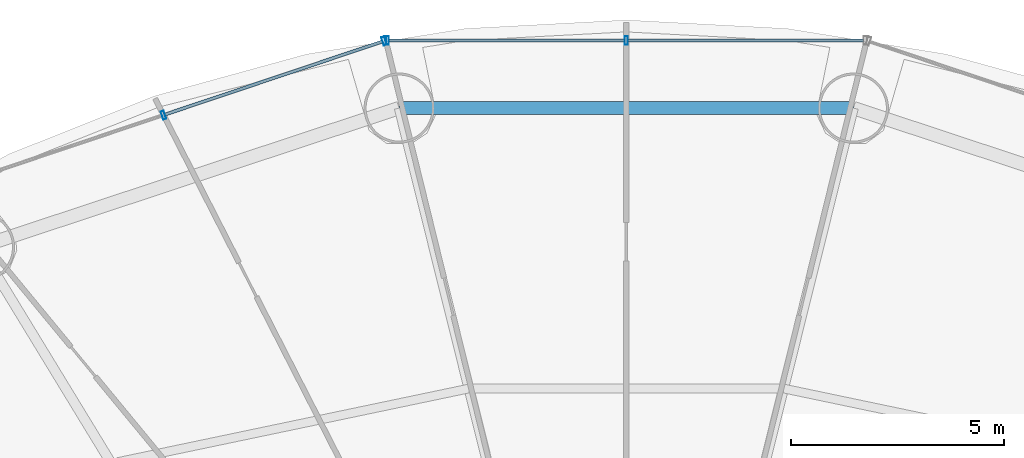
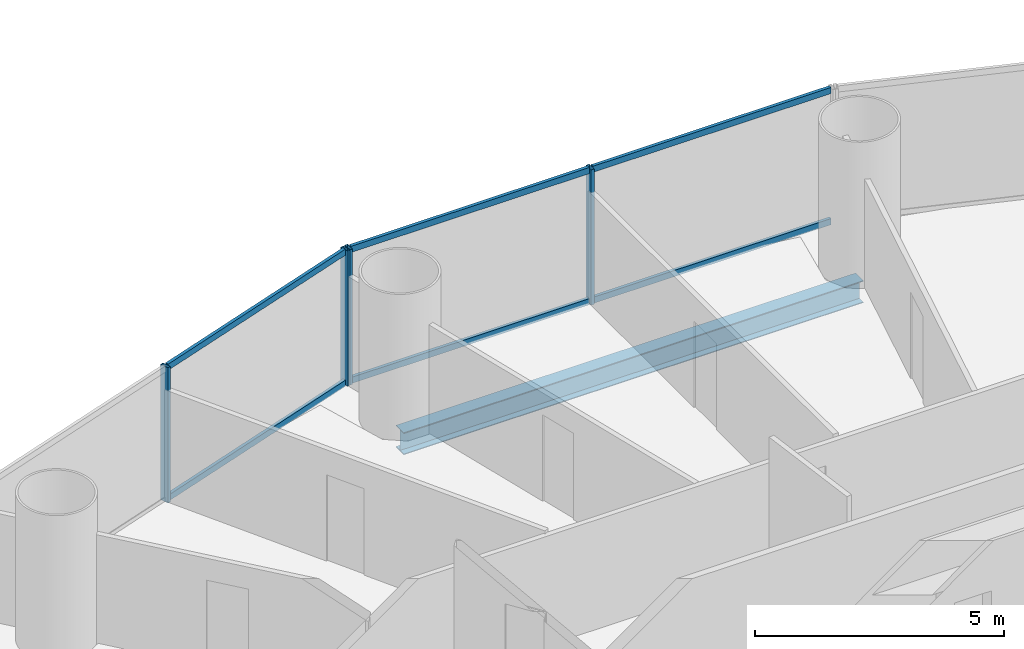
# One storey, part 18 of 30: 10 members, 1 beam, 2 elements without a shape of their own.
"""IFC4 building model written with IfcOpenShell, lengths in metres."""

from ifc_helpers import new_model, si_unit, direction, frame, origin, origin_2d, place, context, subcontext, project, spatial, hollow_rectangle, i_section, extrude, source, transform, mapped, material, material_profile, profile_set, type_object, element, aggregate, save


model = new_model("IFC4")

# Units and contexts
model_context = context("Model", 3, precision=1e-05, world=origin(), true_north=direction((-0.2419218956, 0.970295726276)))
body_context = subcontext(model_context, "Body", "Model", "MODEL_VIEW")
ifc_project = project(units=[si_unit("LENGTHUNIT", "METRE"), si_unit("AREAUNIT", "SQUARE_METRE"), si_unit("VOLUMEUNIT", "CUBIC_METRE"), si_unit("PLANEANGLEUNIT", "RADIAN"), si_unit("MASSUNIT", "GRAM", prefix="KILO")], contexts=[model_context])

# Site, building, storey
site_placement = place(None, origin())
site = spatial("IfcSite", under=ifc_project, at=site_placement, CompositionType="ELEMENT")
building_placement = place(site_placement, origin())
building = spatial("IfcBuilding", under=site, at=building_placement, Name="Cobrevalo Terracotta Tower", CompositionType="ELEMENT")
storey_placement = place(building_placement, frame((0.0, 0.0, 56.39990234375)))
storey = spatial("IfcBuildingStorey", under=building, at=storey_placement, Name="L14", CompositionType="ELEMENT", Elevation=56.39990234375)

# Beam
ifc_material_1 = material(Name="Steel S355", Category="steel")
ifc_material_profile_1 = material_profile(ifc_material_1, i_section(OverallWidth=0.31201171875, OverallDepth=0.54296875, WebThickness=0.0126953125, FlangeThickness=0.020263671875, at=origin_2d()), Name="W 530x150")
ifc_profile_set_1 = profile_set([ifc_material_profile_1], Name="Steel S355")
beam_type = type_object("IfcBeamType", Name="Structural Spandrel W 530x150 (Steel S355)", PredefinedType="SPANDREL", material=ifc_profile_set_1)
beam_placement = place(storey_placement, frame((43.335693359375, 48.230224609375, -0.551513671875), z_axis=(-1.0, 0.0, 0.0), x_axis=(0.0, -1.0, 0.0)))
element("IfcBeam", 1, at=beam_placement, inside=storey, type_object=beam_type, Name="L14 perimeter ring spandrel 04", PredefinedType="SPANDREL", context=body_context, shape_type="SweptSolid", body=[
    extrude(i_section(OverallWidth=0.31201171875, OverallDepth=0.54296875, WebThickness=0.0126953125, FlangeThickness=0.020263671875, at=origin_2d()), origin(), (0.0, 0.0, 1.0), 10.67138671875),
])

# Curtain wall, members
ifc_material_2 = material(Name="Anodized aluminium", Category="aluminium")
curtain_wall_type = type_object("IfcCurtainWallType", Name="Lower-tower unitised acoustic low-E curtain wall CW-U1", PredefinedType="NOTDEFINED", material=ifc_material_2)
curtain_wall_1_placement = place(storey_placement, origin())
curtain_wall_1 = element("IfcCurtainWall", 2, at=curtain_wall_1_placement, inside=storey, type_object=curtain_wall_type, Name="L14 curtain wall CW-L14-S04", PredefinedType="NOTDEFINED")
ifc_material_profile_2 = material_profile(ifc_material_2, hollow_rectangle(XDim=0.074951171875, YDim=0.199951171875, WallThickness=0.0048828125, at=origin_2d()), Name="CWM 75x200")
ifc_profile_set_2 = profile_set([ifc_material_profile_2], Name="Anodized aluminium")
member_type_1 = type_object("IfcMemberType", Name="Lower/mid tower unitised mullion 75x200", PredefinedType="MULLION", material=ifc_profile_set_2)
shared_shape_1 = source(origin(), body_context, "Body", "SweptSolid", [
    extrude(hollow_rectangle(XDim=0.074951171875, YDim=0.199951171875, WallThickness=0.0048828125, at=origin_2d()), origin(), (0.0, 0.0, 1.0), 3.320068359375),
])
member_1_placement = place(storey_placement, frame((38.0, 49.819091796875, 0.0), z_axis=(0.0, 0.0, 1.0), x_axis=(-1.0, 0.0, 0.0)))
member_1 = element("IfcMember", 3, at=member_1_placement, type_object=member_type_1, Name="CW-L14-S04 vertical mullion 02", PredefinedType="MULLION", context=body_context, shape_type="MappedRepresentation", body=[
    mapped(shared_shape_1, transform((0.0, 0.0, 0.0), scale=1.0)),
])
member_2_placement = place(storey_placement, frame((32.38818359375, 49.819091796875, 0.0), z_axis=(0.0, 0.0, 1.0), x_axis=(-1.0, 0.0, 0.0)))
member_2 = element("IfcMember", 4, at=member_2_placement, type_object=member_type_1, Name="CW-L14-S04 vertical mullion 03", PredefinedType="MULLION", context=body_context, shape_type="MappedRepresentation", body=[
    mapped(shared_shape_1, transform((0.0, 0.0, 0.0), scale=1.0)),
])

curtain_wall_2_placement = place(storey_placement, origin())
curtain_wall_2 = element("IfcCurtainWall", 5, at=curtain_wall_2_placement, inside=storey, type_object=curtain_wall_type, Name="L14 curtain wall CW-L14-S05", PredefinedType="NOTDEFINED")
member_3_placement = place(storey_placement, frame((32.310302734375, 49.806396484375, 0.0), z_axis=(0.0, 0.0, 1.0), x_axis=(-0.948046393597, -0.318132103987, 0.0)))
member_3 = element("IfcMember", 6, at=member_3_placement, type_object=member_type_1, Name="CW-L14-S05 vertical mullion 01", PredefinedType="MULLION", context=body_context, shape_type="MappedRepresentation", body=[
    mapped(shared_shape_1, transform((0.0, 0.0, 0.0), scale=1.0)),
])
member_4_placement = place(storey_placement, frame((27.126708984375, 48.06689453125, 0.0), z_axis=(0.0, 0.0, 1.0), x_axis=(-0.948046393597, -0.318132103987, 0.0)))
member_4 = element("IfcMember", 7, at=member_4_placement, type_object=member_type_1, Name="CW-L14-S05 vertical mullion 02", PredefinedType="MULLION", context=body_context, shape_type="MappedRepresentation", body=[
    mapped(shared_shape_1, transform((0.0, 0.0, 0.0), scale=1.0)),
])
ifc_material_profile_3 = material_profile(ifc_material_2, hollow_rectangle(XDim=0.074951171875, YDim=0.14990234375, WallThickness=0.00439453125, at=origin_2d()), Name="CWT 75x150")
ifc_profile_set_3 = profile_set([ifc_material_profile_3], Name="Anodized aluminium")
member_type_2 = type_object("IfcMemberType", Name="Tower unitised aluminium transom 75x150", PredefinedType="USERDEFINED", material=ifc_profile_set_3)
shared_shape_2 = source(origin(), body_context, "Body", "SweptSolid", [
    extrude(hollow_rectangle(XDim=0.074951171875, YDim=0.14990234375, WallThickness=0.00439453125, at=origin_2d()), origin(), (0.0, 0.0, 1.0), 5.387939453125),
])
member_5_placement = place(storey_placement, frame((32.2724609375, 49.793701171875, 0.050048828125), z_axis=(-0.94804244582, -0.318143868278, 0.0), x_axis=(0.318143868278, -0.94804244582, 0.0)))
member_5 = element("IfcMember", 8, at=member_5_placement, type_object=member_type_2, Name="CW-L14-S05 transom B01-T1", ObjectType="TRANSOM", PredefinedType="USERDEFINED", context=body_context, shape_type="MappedRepresentation", body=[
    mapped(shared_shape_2, transform((0.0, 0.0, 0.0), scale=1.0)),
])
member_6_placement = place(storey_placement, frame((32.2724609375, 49.793701171875, 3.27001953125), z_axis=(-0.94804244582, -0.318143868278, 0.0), x_axis=(0.318143868278, -0.94804244582, 0.0)))
member_6 = element("IfcMember", 9, at=member_6_placement, type_object=member_type_2, Name="CW-L14-S05 transom B01-T2", ObjectType="TRANSOM", PredefinedType="USERDEFINED", context=body_context, shape_type="MappedRepresentation", body=[
    mapped(shared_shape_2, transform((0.0, 0.0, 0.0), scale=1.0)),
])
aggregate(curtain_wall_2, [member_3, member_4, member_5, member_6])

# Member
shared_shape_3 = source(origin(), body_context, "Body", "SweptSolid", [
    extrude(hollow_rectangle(XDim=0.074951171875, YDim=0.14990234375, WallThickness=0.00439453125, at=origin_2d()), origin(), (0.0, 0.0, 1.0), 5.53173828125),
])
member_7_placement = place(storey_placement, frame((43.57177734375, 49.819091796875, 0.050048828125), z_axis=(-1.0, 0.0, 0.0), x_axis=(0.0, -1.0, 0.0)))
member_7 = element("IfcMember", 10, at=member_7_placement, type_object=member_type_2, Name="CW-L14-S04 transom B01-T1", ObjectType="TRANSOM", PredefinedType="USERDEFINED", context=body_context, shape_type="MappedRepresentation", body=[
    mapped(shared_shape_3, transform((0.0, 0.0, 0.0), scale=1.0)),
])

member_8_placement = place(storey_placement, frame((43.57177734375, 49.819091796875, 3.27001953125), z_axis=(-1.0, 0.0, 0.0), x_axis=(0.0, -1.0, 0.0)))
member_8 = element("IfcMember", 11, at=member_8_placement, type_object=member_type_2, Name="CW-L14-S04 transom B01-T2", ObjectType="TRANSOM", PredefinedType="USERDEFINED", context=body_context, shape_type="MappedRepresentation", body=[
    mapped(shared_shape_3, transform((0.0, 0.0, 0.0), scale=1.0)),
])

member_9_placement = place(storey_placement, frame((37.9599609375, 49.819091796875, 0.050048828125), z_axis=(-1.0, 0.0, 0.0), x_axis=(0.0, -1.0, 0.0)))
member_9 = element("IfcMember", 12, at=member_9_placement, type_object=member_type_2, Name="CW-L14-S04 transom B02-T1", ObjectType="TRANSOM", PredefinedType="USERDEFINED", context=body_context, shape_type="MappedRepresentation", body=[
    mapped(shared_shape_3, transform((0.0, 0.0, 0.0), scale=1.0)),
])

member_10_placement = place(storey_placement, frame((37.9599609375, 49.819091796875, 3.27001953125), z_axis=(-1.0, 0.0, 0.0), x_axis=(0.0, -1.0, 0.0)))
member_10 = element("IfcMember", 13, at=member_10_placement, type_object=member_type_2, Name="CW-L14-S04 transom B02-T2", ObjectType="TRANSOM", PredefinedType="USERDEFINED", context=body_context, shape_type="MappedRepresentation", body=[
    mapped(shared_shape_3, transform((0.0, 0.0, 0.0), scale=1.0)),
])

aggregate(curtain_wall_1, [member_1, member_2, member_7, member_8, member_9, member_10])

save(model, "model.ifc")
